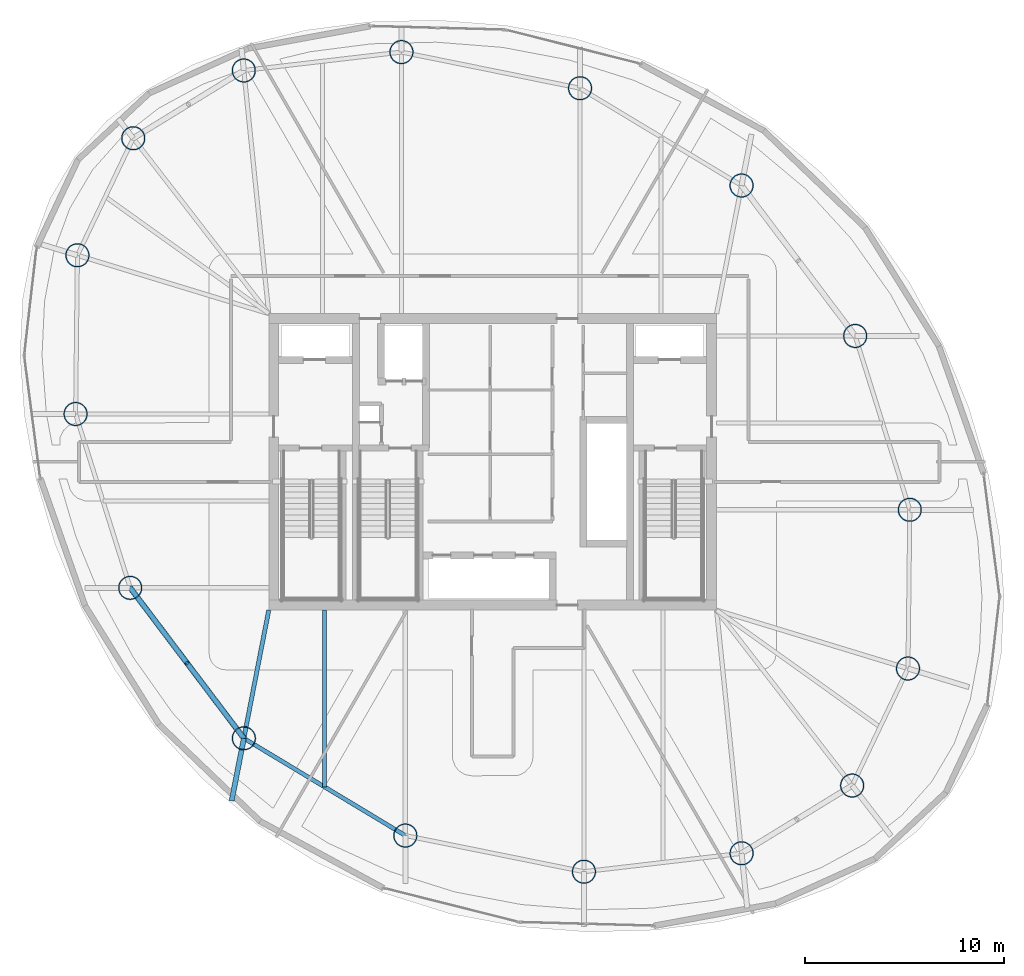
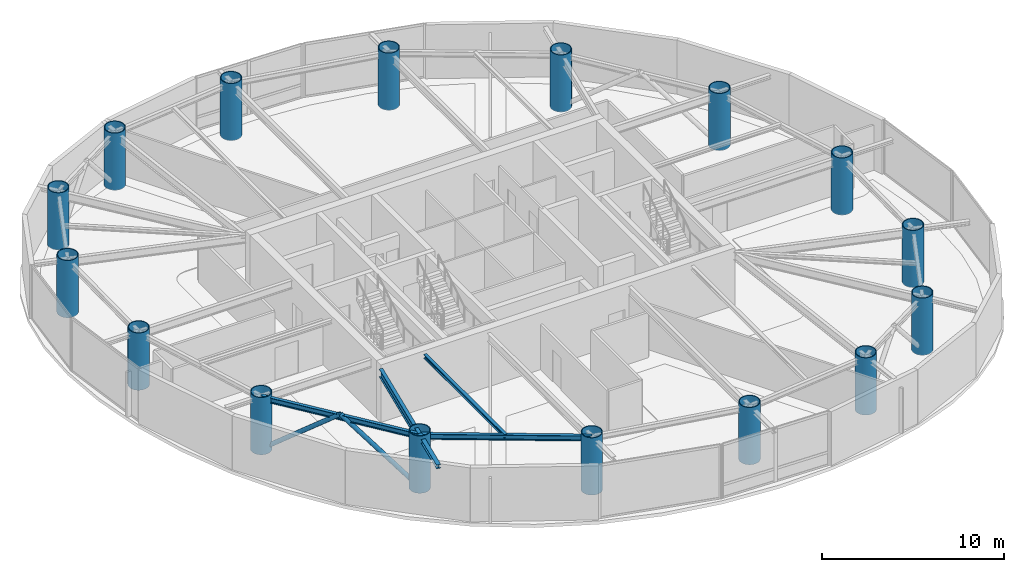
# One storey, part 1 of 20: 16 columns, 5 beams, 2 members.
"""IFC4 building model written with IfcOpenShell, lengths in metres."""

from ifc_helpers import new_model, si_unit, direction, frame, origin, origin_2d, place, context, subcontext, project, spatial, hollow_circle, i_section, extrude, material, material_profile, profile_set, type_object, element, save


model = new_model("IFC4")

# Units and contexts
model_context = context("Model", 3, precision=1e-05, world=origin(), true_north=direction((0.0, 1.0)))
body_context = subcontext(model_context, "Body", "Model", "MODEL_VIEW")
ifc_project = project(units=[si_unit("LENGTHUNIT", "METRE"), si_unit("AREAUNIT", "SQUARE_METRE"), si_unit("VOLUMEUNIT", "CUBIC_METRE"), si_unit("PLANEANGLEUNIT", "RADIAN"), si_unit("MASSUNIT", "GRAM", prefix="KILO")], contexts=[model_context])

# Site, building, storey
site_placement = place(None, origin())
site = spatial("IfcSite", under=ifc_project, at=site_placement, CompositionType="ELEMENT")
building_placement = place(site_placement, origin())
building = spatial("IfcBuilding", under=site, at=building_placement, Name="Bramvorn Convention Spire", CompositionType="ELEMENT")
storey_placement = place(building_placement, frame((0.0, 0.0, 175.050048828125)))
storey = spatial("IfcBuildingStorey", under=building, at=storey_placement, Name="L44", CompositionType="ELEMENT", Elevation=175.050048828125)

# Columns
ifc_material = material(Name="Steel CSA G40.21 Grade 350 (350W)", Category="steel")
ifc_material_profile_1 = material_profile(ifc_material, hollow_circle(Radius=0.60009765625, WallThickness=0.050048828125, at=origin_2d()))
ifc_profile_set_1 = profile_set([ifc_material_profile_1], Name="Steel CSA G40.21 Grade 350 (350W) - CFT1200X50")
column_type = type_object("IfcColumnType", Name="COL-CFT1200X50", PredefinedType="COLUMN", material=ifc_profile_set_1)
for number, where, z_axis, x_axis, name in (
    (1, (56.058349609375, 9.739990234375, 0.0), (0.0, 0.0, 1.0), (1.0, 0.0, 0.0), "L44 composite CFT mega-column MC01"),
    (2, (58.863037109375, 15.619384765625, 0.0), (0.0, 0.0, 1.0), (1.0, 0.0, 0.0), "L44 composite CFT mega-column MC02"),
    (3, (58.95458984375, 23.593505859375, 0.0), (0.0, 0.0, 1.0), (1.0, 0.0, 0.0), "L44 composite CFT mega-column MC03"),
    (4, (56.21044921875, 32.327392578125, 0.0), (0.0, 0.0, 1.0), (1.0, 0.0, 0.0), "L44 composite CFT mega-column MC04"),
    (5, (50.501953125, 39.885009765625, 0.0), (0.0, 0.0, 1.0), (1.0, 0.0, 0.0), "L44 composite CFT mega-column MC05"),
    (6, (42.38916015625, 44.772216796875, 0.0), (0.0, 0.0, 1.0), (1.0, 0.0, 0.0), "L44 composite CFT mega-column MC06"),
    (7, (33.416259765625, 46.58837890625, 0.0), (0.0, 0.0, 1.0), (1.0, 0.0, 0.0), "L44 composite CFT mega-column MC07"),
    (8, (25.49560546875, 45.663818359375, 0.0), (0.0, 0.0, 1.0), (1.0, 0.0, 0.0), "L44 composite CFT mega-column MC08"),
    (9, (19.941650390625, 42.260009765625, 0.0), (0.0, 0.0, 1.0), (1.0, 0.0, 0.0), "L44 composite CFT mega-column MC09"),
    (10, (17.136962890625, 36.380615234375, 0.0), (0.0, 0.0, 1.0), (1.0, 0.0, 0.0), "L44 composite CFT mega-column MC10"),
    (11, (17.04541015625, 28.406494140625, 0.0), (0.0, 0.0, 1.0), (1.0, 0.0, 0.0), "L44 composite CFT mega-column MC11"),
    (12, (19.78955078125, 19.672607421875, 0.0), (0.0, 0.0, 1.0), (1.0, 0.0, 0.0), "L44 composite CFT mega-column MC12"),
    (13, (25.498046875, 12.114990234375, 0.0), (0.0, 0.0, 1.0), (1.0, 0.0, 0.0), "L44 composite CFT mega-column MC13"),
    (14, (33.61083984375, 7.227783203125, 0.0), (0.0, 0.0, 1.0), (1.0, 0.0, 0.0), "L44 composite CFT mega-column MC14"),
    (15, (42.583740234375, 5.41162109375, 0.0), (0.0, 0.0, 1.0), (1.0, 0.0, 0.0), "L44 composite CFT mega-column MC15"),
    (16, (50.50439453125, 6.336181640625, 0.0), (0.0, 0.0, 1.0), (1.0, 0.0, 0.0), "L44 composite CFT mega-column MC16"),
):
    element("IfcColumn", number, at=place(storey_placement, frame(where, z_axis=z_axis, x_axis=x_axis)), inside=storey, type_object=column_type, Name=name, PredefinedType="COLUMN", context=body_context, shape_type="SweptSolid", body=[
        extrude(hollow_circle(Radius=0.60009765625, WallThickness=0.050048828125, at=origin_2d()), origin(), (0.0, 0.0, 1.0), 3.849853515625),
    ])

# Beams
ifc_material_profile_2 = material_profile(ifc_material, i_section(OverallWidth=0.201904296875, OverallDepth=0.2470703125, WebThickness=0.00732421875, FlangeThickness=0.010986328125, FilletRadius=0.011962890625, at=origin_2d()))
ifc_profile_set_2 = profile_set([ifc_material_profile_2], Name="Steel CSA G40.21 Grade 350 (350W) - W250X49")
beam_type_1 = type_object("IfcBeamType", Name="BM-W250X49", PredefinedType="JOIST", material=ifc_profile_set_2)
beam_1_placement = place(storey_placement, frame((29.554443359375, 18.550048828125, 3.496337890625), z_axis=(0.0, -1.0, 0.0), x_axis=(1.0, 0.0, 0.0)))
element("IfcBeam", 17, at=beam_1_placement, inside=storey, type_object=beam_type_1, Name="L44 composite floor joist 13", PredefinedType="JOIST", context=body_context, shape_type="SweptSolid", body=[
    extrude(i_section(OverallWidth=0.201904296875, OverallDepth=0.2470703125, WebThickness=0.00732421875, FlangeThickness=0.010986328125, FilletRadius=0.011962890625, at=origin_2d()), origin(), (0.0, 0.0, 1.0), 8.878662109375),
])
ifc_material_profile_3 = material_profile(ifc_material, i_section(OverallWidth=0.25390625, OverallDepth=0.2529296875, WebThickness=0.008544921875, FlangeThickness=0.01416015625, FilletRadius=0.011962890625, at=origin_2d()))
ifc_profile_set_3 = profile_set([ifc_material_profile_3], Name="Steel CSA G40.21 Grade 350 (350W) - W250X73")
beam_type_2 = type_object("IfcBeamType", Name="BM-W250X73", PredefinedType="BEAM", material=ifc_profile_set_3)
beam_2_placement = place(storey_placement, frame((25.498046875, 12.114990234375, 3.493408203125), z_axis=(-0.190977895588, -0.981594337492, 0.0), x_axis=(0.981594337492, -0.190977895588, 0.0)))
element("IfcBeam", 18, at=beam_2_placement, inside=storey, type_object=beam_type_2, Name="L44 slab-edge cantilever tip beam MC13", PredefinedType="BEAM", context=body_context, shape_type="SweptSolid", body=[
    extrude(i_section(OverallWidth=0.25390625, OverallDepth=0.2529296875, WebThickness=0.008544921875, FlangeThickness=0.01416015625, FilletRadius=0.011962890625, at=origin_2d()), origin(), (0.0, 0.0, 1.0), 3.19970703125),
])
ifc_material_profile_4 = material_profile(ifc_material, i_section(OverallWidth=0.205078125, OverallDepth=0.35400390625, WebThickness=0.009521484375, FlangeThickness=0.016845703125, FilletRadius=0.014892578125, at=origin_2d()))
ifc_profile_set_4 = profile_set([ifc_material_profile_4], Name="Steel CSA G40.21 Grade 350 (350W) - W360X79")
beam_type_3 = type_object("IfcBeamType", Name="BM-W360X79", PredefinedType="JOIST", material=ifc_profile_set_4)
for number, where, z_axis, x_axis, name in (
    (19, (19.78955078125, 19.672607421875, 3.44287109375), (0.602718581414, -0.797953827999, 0.0), (0.797953827999, 0.602718581414, 0.0), "L44 mega-column ring beam 12"),
    (20, (25.498046875, 12.114990234375, 3.44287109375), (0.856581795745, -0.516011266543, 0.0), (0.516011266543, 0.856581795745, 0.0), "L44 mega-column ring beam 13"),
):
    element("IfcBeam", number, at=place(storey_placement, frame(where, z_axis=z_axis, x_axis=x_axis)), inside=storey, type_object=beam_type_3, Name=name, PredefinedType="JOIST", context=body_context, shape_type="SweptSolid", body=[
        extrude(i_section(OverallWidth=0.205078125, OverallDepth=0.35400390625, WebThickness=0.009521484375, FlangeThickness=0.016845703125, FilletRadius=0.014892578125, at=origin_2d()), origin(), (0.0, 0.0, 1.0), 9.47119140625),
    ])
ifc_material_profile_5 = material_profile(ifc_material, i_section(OverallWidth=0.2119140625, OverallDepth=0.5439453125, WebThickness=0.01318359375, FlangeThickness=0.021240234375, FilletRadius=0.01904296875, at=origin_2d()))
ifc_profile_set_5 = profile_set([ifc_material_profile_5], Name="Steel CSA G40.21 Grade 350 (350W) - W530X123")
beam_type_4 = type_object("IfcBeamType", Name="BM-W530X123", PredefinedType="BEAM", material=ifc_profile_set_5)
beam_3_placement = place(storey_placement, frame((26.75, 18.550048828125, 3.347900390625), z_axis=(-0.190971329886, -0.981595614885, 0.0), x_axis=(0.981595614885, -0.190971329886, 0.0)))
element("IfcBeam", 21, at=beam_3_placement, inside=storey, type_object=beam_type_4, Name="L44 radial floor girder MC13", PredefinedType="BEAM", context=body_context, shape_type="SweptSolid", body=[
    extrude(i_section(OverallWidth=0.2119140625, OverallDepth=0.5439453125, WebThickness=0.01318359375, FlangeThickness=0.021240234375, FilletRadius=0.01904296875, at=origin_2d()), origin(), (0.0, 0.0, 1.0), 6.5556640625),
])

# Members
ifc_material_profile_6 = material_profile(ifc_material, hollow_circle(Radius=0.136474609375, WallThickness=0.0126953125, at=origin_2d()))
ifc_profile_set_6 = profile_set([ifc_material_profile_6], Name="Steel CSA G40.21 Grade 350 (350W) - CHS273X13")
member_type = type_object("IfcMemberType", Name="MBR-CHS273X13", PredefinedType="BRACE", material=ifc_profile_set_6)
for number, where, z_axis, x_axis, name in (
    (22, (19.78955078125, 19.672607421875, 0.0), (0.478846711924, -0.633956839206, 0.607292806235), (0.797953827999, 0.602718581414, 0.0), "L44 perimeter Gothic lancet brace 12A"),
    (23, (25.498046875, 12.114990234375, 0.0), (-0.478846711924, 0.633956839206, 0.607292806235), (-0.797953827999, -0.602718581414, 0.0), "L44 perimeter Gothic lancet brace 12B"),
):
    element("IfcMember", number, at=place(storey_placement, frame(where, z_axis=z_axis, x_axis=x_axis)), inside=storey, type_object=member_type, Name=name, PredefinedType="BRACE", context=body_context, shape_type="SweptSolid", body=[
        extrude(hollow_circle(Radius=0.136474609375, WallThickness=0.0126953125, at=origin_2d()), origin(), (0.0, 0.0, 1.0), 5.960693359375),
    ])

save(model, "model.ifc")
